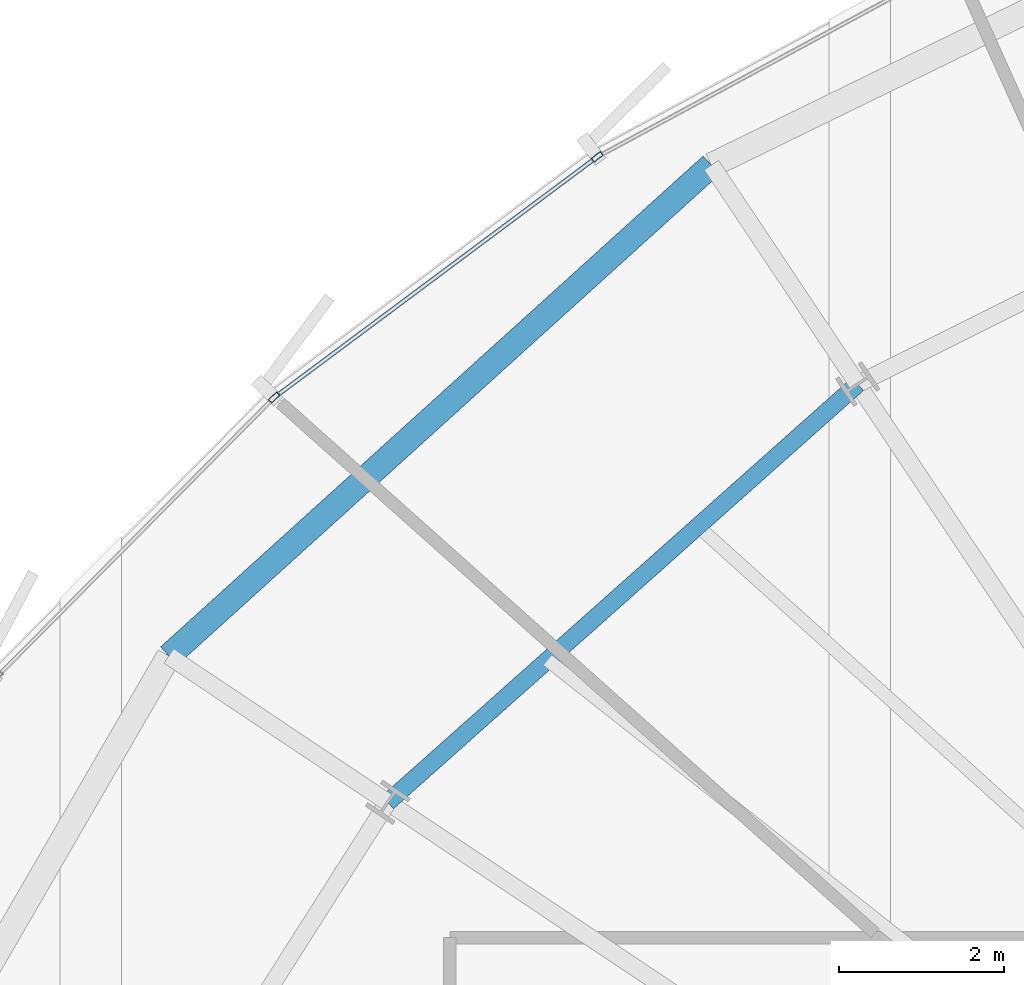
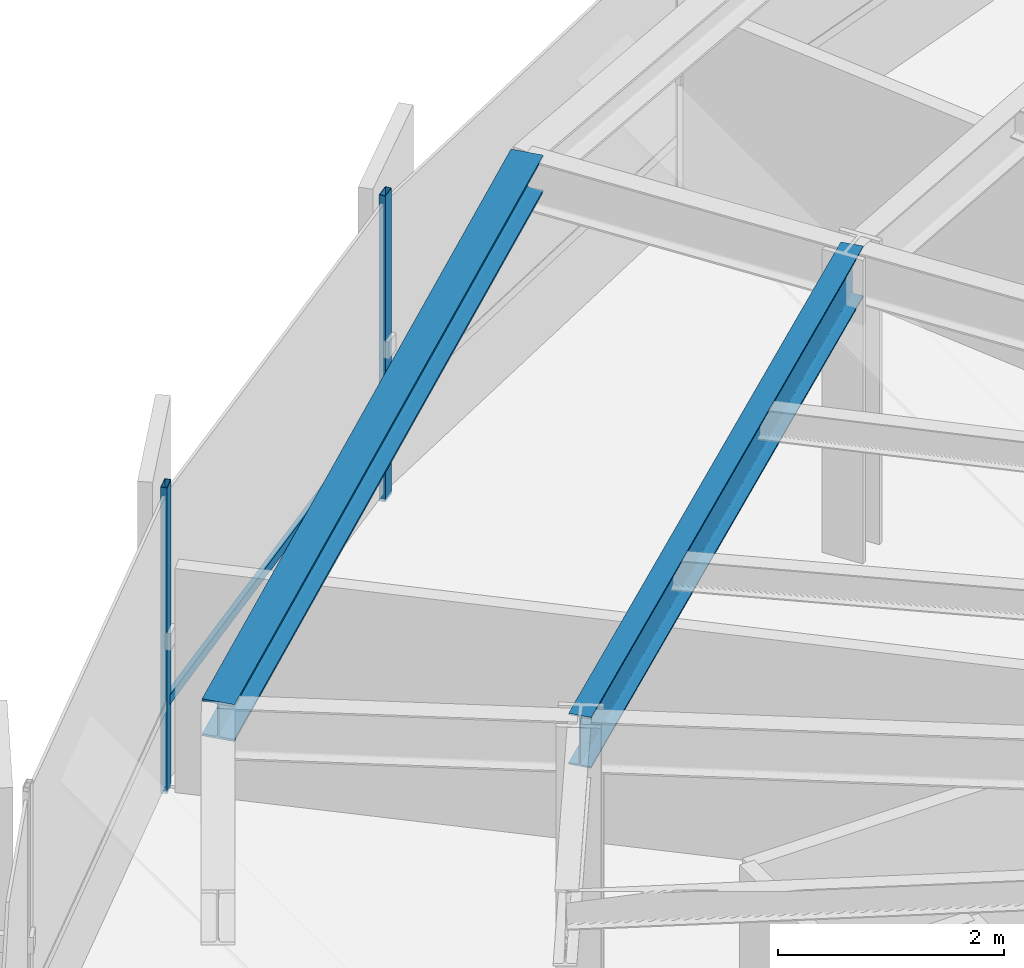
# One storey, part 21 of 37: 3 members, 2 beams, 1 element without a shape of its own.
"""IFC4 building model written with IfcOpenShell, lengths in metres."""

from ifc_helpers import new_model, si_unit, direction, frame, origin, origin_2d, place, context, subcontext, project, spatial, hollow_rectangle, i_section, extrude, source, transform, mapped, material, layer, layer_set, material_profile, profile_set, type_object, element, aggregate, save


model = new_model("IFC4")

# Units and contexts
model_context = context("Model", 3, precision=1e-05, world=origin(), true_north=direction((0.0, 1.0)))
body_context = subcontext(model_context, "Body", "Model", "MODEL_VIEW")
ifc_project = project(units=[si_unit("LENGTHUNIT", "METRE"), si_unit("AREAUNIT", "SQUARE_METRE"), si_unit("VOLUMEUNIT", "CUBIC_METRE"), si_unit("PLANEANGLEUNIT", "RADIAN"), si_unit("MASSUNIT", "GRAM", prefix="KILO"), si_unit("THERMODYNAMICTEMPERATUREUNIT", "KELVIN")], contexts=[model_context])

# Site, building, storey
site_placement = place(None, origin())
site = spatial("IfcSite", under=ifc_project, at=site_placement, CompositionType="ELEMENT")
building_placement = place(site_placement, origin())
building = spatial("IfcBuilding", under=site, at=building_placement, Name="Kethvar Cultural Tower", CompositionType="ELEMENT")
storey_placement = place(building_placement, frame((0.0, 0.0, 132.35009765625)))
storey = spatial("IfcBuildingStorey", under=building, at=storey_placement, Name="L33", CompositionType="ELEMENT", Elevation=132.35009765625)

# Beams
ifc_material_1 = material(Name="Steel S355J2", Category="steel")
ifc_material_profile_1 = material_profile(ifc_material_1, i_section(OverallWidth=0.2099609375, OverallDepth=0.550048828125, WebThickness=0.010986328125, FlangeThickness=0.01708984375, FilletRadius=0.02392578125, at=origin_2d()), Name="Steel S355J2 — IPE550")
ifc_profile_set_1 = profile_set([ifc_material_profile_1], Name="Steel S355J2 — IPE550")
beam_type_1 = type_object("IfcBeamType", Name="BM-IPE550", PredefinedType="BEAM", material=ifc_profile_set_1)
shared_shape_1 = source(origin(), body_context, "Body", "SweptSolid", [
    extrude(i_section(OverallWidth=0.2099609375, OverallDepth=0.550048828125, WebThickness=0.010986328125, FlangeThickness=0.01708984375, FilletRadius=0.02392578125, at=origin_2d()), origin(), (0.0, 0.0, 1.0), 7.64599609375),
])
beam_1_placement = place(storey_placement, frame((36.0576171875, 43.877197265625, 3.02294921875), z_axis=(-0.747021617367, -0.66479974668, 0.0), x_axis=(0.66479974668, -0.747021617367, 0.0)))
element("IfcBeam", 1, at=beam_1_placement, inside=storey, type_object=beam_type_1, Name="L33 Column Ring Tie Beam CR-06", PredefinedType="BEAM", context=body_context, shape_type="MappedRepresentation", body=[
    mapped(shared_shape_1, transform((0.0, 0.0, 0.0), scale=1.0)),
])
ifc_material_profile_2 = material_profile(ifc_material_1, i_section(OverallWidth=0.300048828125, OverallDepth=0.39990234375, WebThickness=0.013427734375, FlangeThickness=0.02392578125, FilletRadius=0.027099609375, at=origin_2d()), Name="Steel S355J2 — HEB400")
ifc_profile_set_2 = profile_set([ifc_material_profile_2], Name="Steel S355J2 — HEB400")
beam_type_2 = type_object("IfcBeamType", Name="BM-SP400", PredefinedType="SPANDREL", material=ifc_profile_set_2)
shared_shape_2 = source(origin(), body_context, "Body", "SweptSolid", [
    extrude(i_section(OverallWidth=0.300048828125, OverallDepth=0.39990234375, WebThickness=0.013427734375, FlangeThickness=0.02392578125, FilletRadius=0.027099609375, at=origin_2d()), origin(), (0.0, 0.0, 1.0), 8.892822265625),
])
beam_2_placement = place(storey_placement, frame((34.27978515625, 46.5380859375, 3.097900390625), z_axis=(-0.741556591679, -0.670890319901, 0.0), x_axis=(0.670890319901, -0.741556591679, 0.0)))
element("IfcBeam", 2, at=beam_2_placement, inside=storey, type_object=beam_type_2, Name="L33 Perimeter Spandrel Beam SP-06", PredefinedType="SPANDREL", context=body_context, shape_type="MappedRepresentation", body=[
    mapped(shared_shape_2, transform((0.0, 0.0, 0.0), scale=1.0)),
])

# Curtain wall, members
ifc_material_2 = material(Name="Aluminium 6063-T6", Category="aluminium")
ifc_layer = layer(ifc_material_2, 0.179931640625, Name="Aluminium 6063-T6", Category="aluminium")
ifc_layer_set = layer_set([ifc_layer], Name="Aluminium 6063-T6 (180 mm)")
curtain_wall_type = type_object("IfcCurtainWallType", Name="CW-SYS-04-Z34", PredefinedType="NOTDEFINED", material=ifc_layer_set)
curtain_wall_placement = place(storey_placement, origin())
curtain_wall = element("IfcCurtainWall", 3, at=curtain_wall_placement, inside=storey, type_object=curtain_wall_type, Name="L33 Curtain Wall Run 02", PredefinedType="NOTDEFINED")
ifc_material_profile_3 = material_profile(ifc_material_2, hollow_rectangle(XDim=0.06005859375, YDim=0.139892578125, WallThickness=0.0048828125, at=origin_2d()), Name="Aluminium 6063-T6 — RHS140x60x5")
ifc_profile_set_3 = profile_set([ifc_material_profile_3], Name="Aluminium 6063-T6 — RHS140x60x5")
member_type_1 = type_object("IfcMemberType", Name="CW-SYS-04-Z34-MUL", PredefinedType="MULLION", material=ifc_profile_set_3)
shared_shape_3 = source(origin(), body_context, "Body", "SweptSolid", [
    extrude(hollow_rectangle(XDim=0.06005859375, YDim=0.139892578125, WallThickness=0.0048828125, at=origin_2d()), origin(), (0.0, 0.0, 1.0), 3.2998046875),
])
member_1_placement = place(storey_placement, frame((32.8916015625, 46.638916015625, 0.0), z_axis=(0.0, 0.0, 1.0), x_axis=(0.597471206089, -0.801890365258, 0.0)))
member_1 = element("IfcMember", 4, at=member_1_placement, type_object=member_type_1, Name="CW-L33-R02 Mullion 5", PredefinedType="MULLION", context=body_context, shape_type="MappedRepresentation", body=[
    mapped(shared_shape_3, transform((0.0, 0.0, 0.0), scale=1.0)),
])
member_2_placement = place(storey_placement, frame((28.9658203125, 43.715087890625, 0.0), z_axis=(0.0, 0.0, 1.0), x_axis=(0.709816657042, -0.704386480127, 0.0)))
member_2 = element("IfcMember", 5, at=member_2_placement, type_object=member_type_1, Name="CW-L33-R02 Mullion 6", PredefinedType="MULLION", context=body_context, shape_type="MappedRepresentation", body=[
    mapped(shared_shape_3, transform((0.0, 0.0, 0.0), scale=1.0)),
])
ifc_material_profile_4 = material_profile(ifc_material_2, hollow_rectangle(XDim=0.050048828125, YDim=0.10009765625, WallThickness=0.00390625, at=origin_2d()), Name="Aluminium 6063-T6 — RHS100x50x4")
ifc_profile_set_4 = profile_set([ifc_material_profile_4], Name="Aluminium 6063-T6 — RHS100x50x4")
member_type_2 = type_object("IfcMemberType", Name="CW-SYS-04-Z34-TRN", PredefinedType="USERDEFINED", material=ifc_profile_set_4)
shared_shape_4 = source(origin(), body_context, "Body", "SweptSolid", [
    extrude(hollow_rectangle(XDim=0.050048828125, YDim=0.10009765625, WallThickness=0.00390625, at=origin_2d()), origin(), (0.0, 0.0, 1.0), 4.82470703125),
])
member_3_placement = place(storey_placement, frame((32.85693359375, 46.613037109375, 0.949951171875), z_axis=(-0.801872369555, -0.597495358094, 0.0), x_axis=(0.597495358094, -0.801872369555, 0.0)))
member_3 = element("IfcMember", 6, at=member_3_placement, type_object=member_type_2, Name="CW-L33-R02 Transom 5", ObjectType="TRANSOM", PredefinedType="USERDEFINED", context=body_context, shape_type="MappedRepresentation", body=[
    mapped(shared_shape_4, transform((0.0, 0.0, 0.0), scale=1.0)),
])
aggregate(curtain_wall, [member_1, member_2, member_3])

save(model, "model.ifc")
